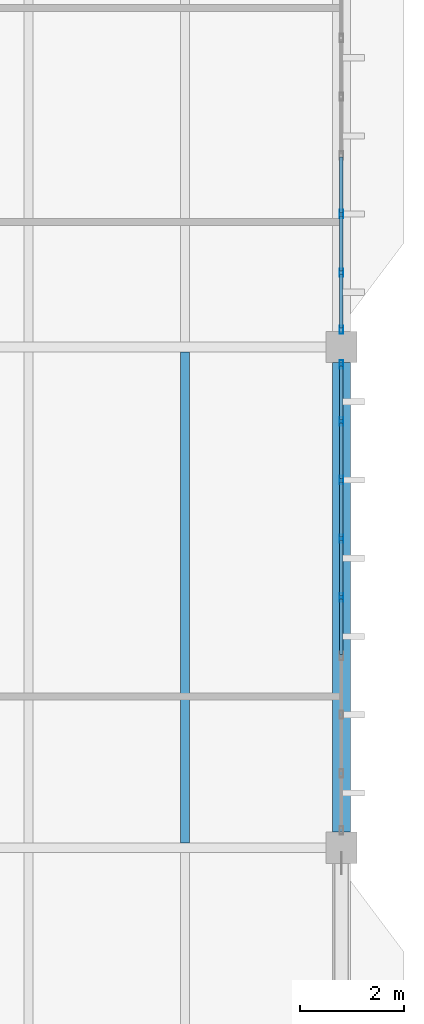
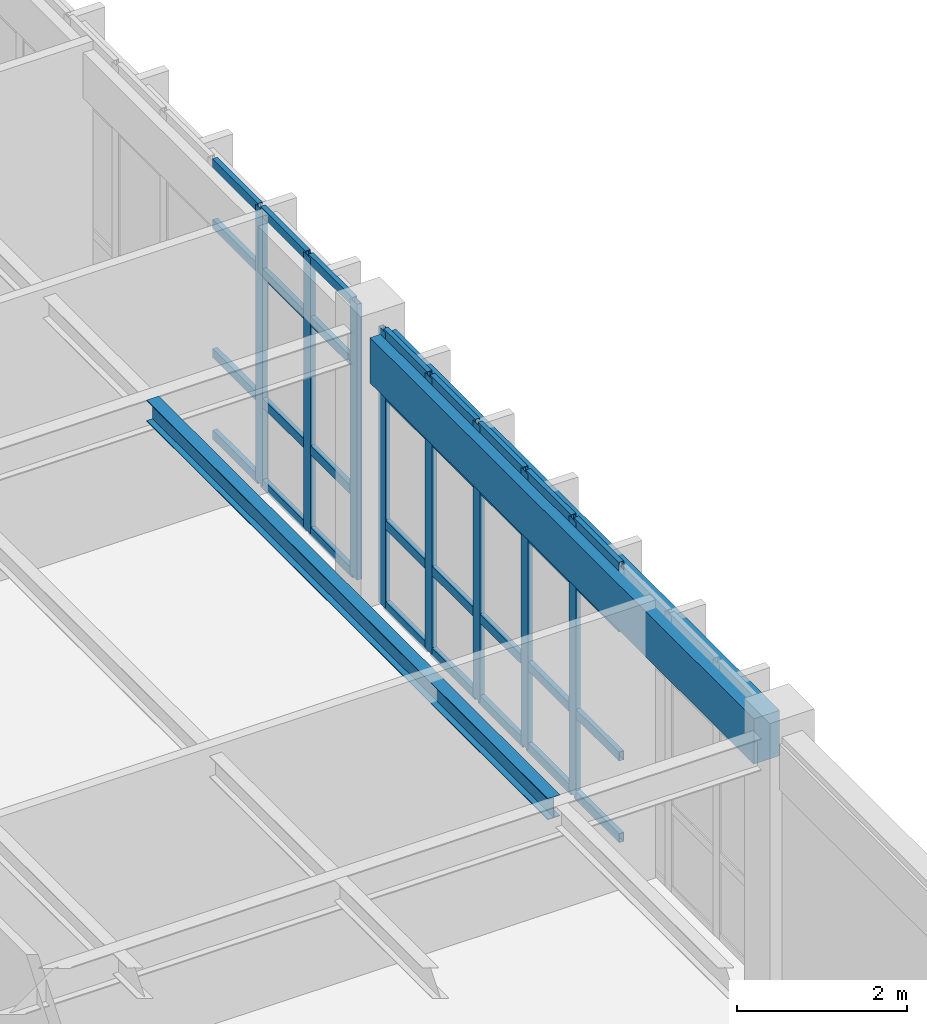
# One storey, part 12 of 28: 40 members, 2 beams, 2 elements without a shape of their own.
"""IFC4 building model written with IfcOpenShell, lengths in metres."""

from ifc_helpers import new_model, si_unit, direction, frame, origin, origin_2d, place, context, subcontext, project, spatial, rectangle, hollow_rectangle, i_section, extrude, material, layer, layer_set, material_profile, profile_set, type_object, element, aggregate, save


model = new_model("IFC4")

# Units and contexts
model_context = context("Model", 3, precision=1e-05, world=origin(), true_north=direction((0.0, 1.0)))
body_context = subcontext(model_context, "Body", "Model", "MODEL_VIEW")
ifc_project = project(units=[si_unit("LENGTHUNIT", "METRE"), si_unit("AREAUNIT", "SQUARE_METRE"), si_unit("VOLUMEUNIT", "CUBIC_METRE"), si_unit("PLANEANGLEUNIT", "RADIAN"), si_unit("MASSUNIT", "GRAM", prefix="KILO")], contexts=[model_context])

# Site, building, storey
site_placement = place(None, origin())
site = spatial("IfcSite", under=ifc_project, at=site_placement, CompositionType="ELEMENT")
building_placement = place(site_placement, origin())
building = spatial("IfcBuilding", under=site, at=building_placement, Name="Pandanus Reach Market Hall", CompositionType="ELEMENT")
storey_placement = place(building_placement, frame((0.0, 0.0, 18.60009765625)))
storey = spatial("IfcBuildingStorey", under=building, at=storey_placement, Name="L04", CompositionType="ELEMENT", Elevation=18.60009765625)

# Beam
ifc_material_1 = material(Name="Concrete N40 (40 MPa)", Category="concrete")
ifc_material_profile_1 = material_profile(ifc_material_1, rectangle(XDim=0.35009765625, YDim=0.64990234375, at=origin_2d()), Name="RC350x650", Category="LoadBearing")
ifc_profile_set_1 = profile_set([ifc_material_profile_1], Name="Concrete N40 (40 MPa)")
beam_type_1 = type_object("IfcBeamType", Name="BM-RC350-E", PredefinedType="SPANDREL", material=ifc_profile_set_1)
beam_1_placement = place(storey_placement, frame((180.0, 48.298095703125, 3.534912109375), z_axis=(0.0, 1.0, 0.0), x_axis=(-1.0, 0.0, 0.0)))
element("IfcBeam", 1, at=beam_1_placement, inside=storey, type_object=beam_type_1, Name="Framing beam BM-RC350-E L04.634", PredefinedType="SPANDREL", context=body_context, shape_type="SweptSolid", body=[
    extrude(rectangle(XDim=0.35009765625, YDim=0.64990234375, at=origin_2d()), origin(), (0.0, 0.0, 1.0), 9.00390625),
])

# Curtain wall, members
ifc_material_2 = material(Name="Bronze anodised aluminium and low-E glass", Category="aluminium")
ifc_layer = layer(ifc_material_2, 0.159912109375, Name="CW-36")
ifc_layer_set = layer_set([ifc_layer], Name="Bronze anodised aluminium and low-E glass")
curtain_wall_type = type_object("IfcCurtainWallType", Name="CW-36", PredefinedType="NOTDEFINED", material=ifc_layer_set)
curtain_wall_1_placement = place(storey_placement, origin())
curtain_wall_1 = element("IfcCurtainWall", 2, at=curtain_wall_1_placement, inside=storey, type_object=curtain_wall_type, Name="Glazed curtain wall CW-36 CW-0131", PredefinedType="NOTDEFINED")
ifc_material_3 = material(Name="Bronze anodised aluminium", Category="aluminium")
ifc_material_profile_2 = material_profile(ifc_material_3, hollow_rectangle(XDim=0.06494140625, YDim=0.159912109375, WallThickness=0.00390625, at=origin_2d()), Name="ALU65x160", Category="LoadBearing")
ifc_profile_set_2 = profile_set([ifc_material_profile_2], Name="Bronze anodised aluminium")
member_type_1 = type_object("IfcMemberType", Name="CW-M1", PredefinedType="MULLION", material=ifc_profile_set_2)
member_1_placement = place(storey_placement, frame((180.0, 52.800048828125, 0.0), z_axis=(0.0, 0.0, 1.0), x_axis=(-1.0, 0.0, 0.0)))
member_1 = element("IfcMember", 3, at=member_1_placement, type_object=member_type_1, Name="CW-36 mullion 5", PredefinedType="MULLION", context=body_context, shape_type="SweptSolid", body=[
    extrude(hollow_rectangle(XDim=0.06494140625, YDim=0.159912109375, WallThickness=0.00390625, at=origin_2d()), origin(), (0.0, 0.0, 1.0), 3.949951171875),
])
member_2_placement = place(storey_placement, frame((180.0, 53.925048828125, 0.0), z_axis=(0.0, 0.0, 1.0), x_axis=(-1.0, 0.0, 0.0)))
member_2 = element("IfcMember", 4, at=member_2_placement, type_object=member_type_1, Name="CW-36 mullion 6", PredefinedType="MULLION", context=body_context, shape_type="SweptSolid", body=[
    extrude(hollow_rectangle(XDim=0.06494140625, YDim=0.159912109375, WallThickness=0.00390625, at=origin_2d()), origin(), (0.0, 0.0, 1.0), 3.949951171875),
])
member_3_placement = place(storey_placement, frame((180.0, 55.050048828125, 0.0), z_axis=(0.0, 0.0, 1.0), x_axis=(-1.0, 0.0, 0.0)))
member_3 = element("IfcMember", 5, at=member_3_placement, type_object=member_type_1, Name="CW-36 mullion 7", PredefinedType="MULLION", context=body_context, shape_type="SweptSolid", body=[
    extrude(hollow_rectangle(XDim=0.06494140625, YDim=0.159912109375, WallThickness=0.00390625, at=origin_2d()), origin(), (0.0, 0.0, 1.0), 3.949951171875),
])
member_4_placement = place(storey_placement, frame((180.0, 56.175048828125, 0.0), z_axis=(0.0, 0.0, 1.0), x_axis=(-1.0, 0.0, 0.0)))
member_4 = element("IfcMember", 6, at=member_4_placement, type_object=member_type_1, Name="CW-36 mullion 8", PredefinedType="MULLION", context=body_context, shape_type="SweptSolid", body=[
    extrude(hollow_rectangle(XDim=0.06494140625, YDim=0.159912109375, WallThickness=0.00390625, at=origin_2d()), origin(), (0.0, 0.0, 1.0), 3.949951171875),
])
member_5_placement = place(storey_placement, frame((180.0, 57.267578125, 0.0), z_axis=(0.0, 0.0, 1.0), x_axis=(-1.0, 0.0, 0.0)))
member_5 = element("IfcMember", 7, at=member_5_placement, type_object=member_type_1, Name="CW-36 mullion 9", PredefinedType="MULLION", context=body_context, shape_type="SweptSolid", body=[
    extrude(hollow_rectangle(XDim=0.06494140625, YDim=0.159912109375, WallThickness=0.00390625, at=origin_2d()), origin(), (0.0, 0.0, 1.0), 3.949951171875),
])

curtain_wall_2_placement = place(storey_placement, origin())
curtain_wall_2 = element("IfcCurtainWall", 8, at=curtain_wall_2_placement, inside=storey, type_object=curtain_wall_type, Name="Glazed curtain wall CW-36 CW-0132", PredefinedType="NOTDEFINED")
member_6_placement = place(storey_placement, frame((180.0, 57.9326171875, 0.0), z_axis=(0.0, 0.0, 1.0), x_axis=(-1.0, 0.0, 0.0)))
member_6 = element("IfcMember", 9, at=member_6_placement, type_object=member_type_1, Name="CW-36 mullion 1", PredefinedType="MULLION", context=body_context, shape_type="SweptSolid", body=[
    extrude(hollow_rectangle(XDim=0.06494140625, YDim=0.159912109375, WallThickness=0.00390625, at=origin_2d()), origin(), (0.0, 0.0, 1.0), 3.949951171875),
])
member_7_placement = place(storey_placement, frame((180.0, 59.02490234375, 0.0), z_axis=(0.0, 0.0, 1.0), x_axis=(-1.0, 0.0, 0.0)))
member_7 = element("IfcMember", 10, at=member_7_placement, type_object=member_type_1, Name="CW-36 mullion 2", PredefinedType="MULLION", context=body_context, shape_type="SweptSolid", body=[
    extrude(hollow_rectangle(XDim=0.06494140625, YDim=0.159912109375, WallThickness=0.00390625, at=origin_2d()), origin(), (0.0, 0.0, 1.0), 3.949951171875),
])
member_8_placement = place(storey_placement, frame((180.0, 60.14990234375, 0.0), z_axis=(0.0, 0.0, 1.0), x_axis=(-1.0, 0.0, 0.0)))
member_8 = element("IfcMember", 11, at=member_8_placement, type_object=member_type_1, Name="CW-36 mullion 3", PredefinedType="MULLION", context=body_context, shape_type="SweptSolid", body=[
    extrude(hollow_rectangle(XDim=0.06494140625, YDim=0.159912109375, WallThickness=0.00390625, at=origin_2d()), origin(), (0.0, 0.0, 1.0), 3.949951171875),
])

# Member
ifc_material_profile_3 = material_profile(ifc_material_3, hollow_rectangle(XDim=0.06494140625, YDim=0.1298828125, WallThickness=0.00390625, at=origin_2d()), Name="ALU65x130", Category="LoadBearing")
ifc_profile_set_3 = profile_set([ifc_material_profile_3], Name="Bronze anodised aluminium")
member_type_2 = type_object("IfcMemberType", Name="CW-T1", PredefinedType="USERDEFINED", material=ifc_profile_set_3)
member_9_placement = place(storey_placement, frame((180.0, 51.70751953125, 0.032470703125), z_axis=(0.0, 1.0, 0.0), x_axis=(-1.0, 0.0, 0.0)))
member_9 = element("IfcMember", 12, at=member_9_placement, type_object=member_type_2, Name="CW-36 transom 4.1", ObjectType="TRANSOM", PredefinedType="USERDEFINED", context=body_context, shape_type="SweptSolid", body=[
    extrude(hollow_rectangle(XDim=0.06494140625, YDim=0.1298828125, WallThickness=0.00390625, at=origin_2d()), origin(), (0.0, 0.0, 1.0), 1.06005859375),
])

member_10_placement = place(storey_placement, frame((180.0, 51.70751953125, 1.199951171875), z_axis=(0.0, 1.0, 0.0), x_axis=(-1.0, 0.0, 0.0)))
member_10 = element("IfcMember", 13, at=member_10_placement, type_object=member_type_2, Name="CW-36 transom 4.2", ObjectType="TRANSOM", PredefinedType="USERDEFINED", context=body_context, shape_type="SweptSolid", body=[
    extrude(hollow_rectangle(XDim=0.06494140625, YDim=0.1298828125, WallThickness=0.00390625, at=origin_2d()), origin(), (0.0, 0.0, 1.0), 1.06005859375),
])

member_11_placement = place(storey_placement, frame((180.0, 51.70751953125, 3.0498046875), z_axis=(0.0, 1.0, 0.0), x_axis=(-1.0, 0.0, 0.0)))
member_11 = element("IfcMember", 14, at=member_11_placement, type_object=member_type_2, Name="CW-36 transom 4.3", ObjectType="TRANSOM", PredefinedType="USERDEFINED", context=body_context, shape_type="SweptSolid", body=[
    extrude(hollow_rectangle(XDim=0.06494140625, YDim=0.1298828125, WallThickness=0.00390625, at=origin_2d()), origin(), (0.0, 0.0, 1.0), 1.06005859375),
])

member_12_placement = place(storey_placement, frame((180.0, 51.70751953125, 3.91748046875), z_axis=(0.0, 1.0, 0.0), x_axis=(-1.0, 0.0, 0.0)))
member_12 = element("IfcMember", 15, at=member_12_placement, type_object=member_type_2, Name="CW-36 transom 4.4", ObjectType="TRANSOM", PredefinedType="USERDEFINED", context=body_context, shape_type="SweptSolid", body=[
    extrude(hollow_rectangle(XDim=0.06494140625, YDim=0.1298828125, WallThickness=0.00390625, at=origin_2d()), origin(), (0.0, 0.0, 1.0), 1.06005859375),
])

member_13_placement = place(storey_placement, frame((180.0, 52.83251953125, 0.032470703125), z_axis=(0.0, 1.0, 0.0), x_axis=(-1.0, 0.0, 0.0)))
member_13 = element("IfcMember", 16, at=member_13_placement, type_object=member_type_2, Name="CW-36 transom 5.1", ObjectType="TRANSOM", PredefinedType="USERDEFINED", context=body_context, shape_type="SweptSolid", body=[
    extrude(hollow_rectangle(XDim=0.06494140625, YDim=0.1298828125, WallThickness=0.00390625, at=origin_2d()), origin(), (0.0, 0.0, 1.0), 1.06005859375),
])

member_14_placement = place(storey_placement, frame((180.0, 52.83251953125, 1.199951171875), z_axis=(0.0, 1.0, 0.0), x_axis=(-1.0, 0.0, 0.0)))
member_14 = element("IfcMember", 17, at=member_14_placement, type_object=member_type_2, Name="CW-36 transom 5.2", ObjectType="TRANSOM", PredefinedType="USERDEFINED", context=body_context, shape_type="SweptSolid", body=[
    extrude(hollow_rectangle(XDim=0.06494140625, YDim=0.1298828125, WallThickness=0.00390625, at=origin_2d()), origin(), (0.0, 0.0, 1.0), 1.06005859375),
])

member_15_placement = place(storey_placement, frame((180.0, 52.83251953125, 3.0498046875), z_axis=(0.0, 1.0, 0.0), x_axis=(-1.0, 0.0, 0.0)))
member_15 = element("IfcMember", 18, at=member_15_placement, type_object=member_type_2, Name="CW-36 transom 5.3", ObjectType="TRANSOM", PredefinedType="USERDEFINED", context=body_context, shape_type="SweptSolid", body=[
    extrude(hollow_rectangle(XDim=0.06494140625, YDim=0.1298828125, WallThickness=0.00390625, at=origin_2d()), origin(), (0.0, 0.0, 1.0), 1.06005859375),
])

member_16_placement = place(storey_placement, frame((180.0, 52.83251953125, 3.91748046875), z_axis=(0.0, 1.0, 0.0), x_axis=(-1.0, 0.0, 0.0)))
member_16 = element("IfcMember", 19, at=member_16_placement, type_object=member_type_2, Name="CW-36 transom 5.4", ObjectType="TRANSOM", PredefinedType="USERDEFINED", context=body_context, shape_type="SweptSolid", body=[
    extrude(hollow_rectangle(XDim=0.06494140625, YDim=0.1298828125, WallThickness=0.00390625, at=origin_2d()), origin(), (0.0, 0.0, 1.0), 1.06005859375),
])

member_17_placement = place(storey_placement, frame((180.0, 53.95751953125, 0.032470703125), z_axis=(0.0, 1.0, 0.0), x_axis=(-1.0, 0.0, 0.0)))
member_17 = element("IfcMember", 20, at=member_17_placement, type_object=member_type_2, Name="CW-36 transom 6.1", ObjectType="TRANSOM", PredefinedType="USERDEFINED", context=body_context, shape_type="SweptSolid", body=[
    extrude(hollow_rectangle(XDim=0.06494140625, YDim=0.1298828125, WallThickness=0.00390625, at=origin_2d()), origin(), (0.0, 0.0, 1.0), 1.06005859375),
])

member_18_placement = place(storey_placement, frame((180.0, 53.95751953125, 1.199951171875), z_axis=(0.0, 1.0, 0.0), x_axis=(-1.0, 0.0, 0.0)))
member_18 = element("IfcMember", 21, at=member_18_placement, type_object=member_type_2, Name="CW-36 transom 6.2", ObjectType="TRANSOM", PredefinedType="USERDEFINED", context=body_context, shape_type="SweptSolid", body=[
    extrude(hollow_rectangle(XDim=0.06494140625, YDim=0.1298828125, WallThickness=0.00390625, at=origin_2d()), origin(), (0.0, 0.0, 1.0), 1.06005859375),
])

member_19_placement = place(storey_placement, frame((180.0, 53.95751953125, 3.0498046875), z_axis=(0.0, 1.0, 0.0), x_axis=(-1.0, 0.0, 0.0)))
member_19 = element("IfcMember", 22, at=member_19_placement, type_object=member_type_2, Name="CW-36 transom 6.3", ObjectType="TRANSOM", PredefinedType="USERDEFINED", context=body_context, shape_type="SweptSolid", body=[
    extrude(hollow_rectangle(XDim=0.06494140625, YDim=0.1298828125, WallThickness=0.00390625, at=origin_2d()), origin(), (0.0, 0.0, 1.0), 1.06005859375),
])

member_20_placement = place(storey_placement, frame((180.0, 53.95751953125, 3.91748046875), z_axis=(0.0, 1.0, 0.0), x_axis=(-1.0, 0.0, 0.0)))
member_20 = element("IfcMember", 23, at=member_20_placement, type_object=member_type_2, Name="CW-36 transom 6.4", ObjectType="TRANSOM", PredefinedType="USERDEFINED", context=body_context, shape_type="SweptSolid", body=[
    extrude(hollow_rectangle(XDim=0.06494140625, YDim=0.1298828125, WallThickness=0.00390625, at=origin_2d()), origin(), (0.0, 0.0, 1.0), 1.06005859375),
])

member_21_placement = place(storey_placement, frame((180.0, 55.08251953125, 0.032470703125), z_axis=(0.0, 1.0, 0.0), x_axis=(-1.0, 0.0, 0.0)))
member_21 = element("IfcMember", 24, at=member_21_placement, type_object=member_type_2, Name="CW-36 transom 7.1", ObjectType="TRANSOM", PredefinedType="USERDEFINED", context=body_context, shape_type="SweptSolid", body=[
    extrude(hollow_rectangle(XDim=0.06494140625, YDim=0.1298828125, WallThickness=0.00390625, at=origin_2d()), origin(), (0.0, 0.0, 1.0), 1.06005859375),
])

member_22_placement = place(storey_placement, frame((180.0, 55.08251953125, 1.199951171875), z_axis=(0.0, 1.0, 0.0), x_axis=(-1.0, 0.0, 0.0)))
member_22 = element("IfcMember", 25, at=member_22_placement, type_object=member_type_2, Name="CW-36 transom 7.2", ObjectType="TRANSOM", PredefinedType="USERDEFINED", context=body_context, shape_type="SweptSolid", body=[
    extrude(hollow_rectangle(XDim=0.06494140625, YDim=0.1298828125, WallThickness=0.00390625, at=origin_2d()), origin(), (0.0, 0.0, 1.0), 1.06005859375),
])

member_23_placement = place(storey_placement, frame((180.0, 55.08251953125, 3.0498046875), z_axis=(0.0, 1.0, 0.0), x_axis=(-1.0, 0.0, 0.0)))
member_23 = element("IfcMember", 26, at=member_23_placement, type_object=member_type_2, Name="CW-36 transom 7.3", ObjectType="TRANSOM", PredefinedType="USERDEFINED", context=body_context, shape_type="SweptSolid", body=[
    extrude(hollow_rectangle(XDim=0.06494140625, YDim=0.1298828125, WallThickness=0.00390625, at=origin_2d()), origin(), (0.0, 0.0, 1.0), 1.06005859375),
])

member_24_placement = place(storey_placement, frame((180.0, 55.08251953125, 3.91748046875), z_axis=(0.0, 1.0, 0.0), x_axis=(-1.0, 0.0, 0.0)))
member_24 = element("IfcMember", 27, at=member_24_placement, type_object=member_type_2, Name="CW-36 transom 7.4", ObjectType="TRANSOM", PredefinedType="USERDEFINED", context=body_context, shape_type="SweptSolid", body=[
    extrude(hollow_rectangle(XDim=0.06494140625, YDim=0.1298828125, WallThickness=0.00390625, at=origin_2d()), origin(), (0.0, 0.0, 1.0), 1.06005859375),
])

member_25_placement = place(storey_placement, frame((180.0, 56.20751953125, 0.032470703125), z_axis=(0.0, 1.0, 0.0), x_axis=(-1.0, 0.0, 0.0)))
member_25 = element("IfcMember", 28, at=member_25_placement, type_object=member_type_2, Name="CW-36 transom 8.1", ObjectType="TRANSOM", PredefinedType="USERDEFINED", context=body_context, shape_type="SweptSolid", body=[
    extrude(hollow_rectangle(XDim=0.06494140625, YDim=0.1298828125, WallThickness=0.00390625, at=origin_2d()), origin(), (0.0, 0.0, 1.0), 1.027587890625),
])

member_26_placement = place(storey_placement, frame((180.0, 56.20751953125, 1.199951171875), z_axis=(0.0, 1.0, 0.0), x_axis=(-1.0, 0.0, 0.0)))
member_26 = element("IfcMember", 29, at=member_26_placement, type_object=member_type_2, Name="CW-36 transom 8.2", ObjectType="TRANSOM", PredefinedType="USERDEFINED", context=body_context, shape_type="SweptSolid", body=[
    extrude(hollow_rectangle(XDim=0.06494140625, YDim=0.1298828125, WallThickness=0.00390625, at=origin_2d()), origin(), (0.0, 0.0, 1.0), 1.027587890625),
])

member_27_placement = place(storey_placement, frame((180.0, 56.20751953125, 3.0498046875), z_axis=(0.0, 1.0, 0.0), x_axis=(-1.0, 0.0, 0.0)))
member_27 = element("IfcMember", 30, at=member_27_placement, type_object=member_type_2, Name="CW-36 transom 8.3", ObjectType="TRANSOM", PredefinedType="USERDEFINED", context=body_context, shape_type="SweptSolid", body=[
    extrude(hollow_rectangle(XDim=0.06494140625, YDim=0.1298828125, WallThickness=0.00390625, at=origin_2d()), origin(), (0.0, 0.0, 1.0), 1.027587890625),
])

member_28_placement = place(storey_placement, frame((180.0, 56.20751953125, 3.91748046875), z_axis=(0.0, 1.0, 0.0), x_axis=(-1.0, 0.0, 0.0)))
member_28 = element("IfcMember", 31, at=member_28_placement, type_object=member_type_2, Name="CW-36 transom 8.4", ObjectType="TRANSOM", PredefinedType="USERDEFINED", context=body_context, shape_type="SweptSolid", body=[
    extrude(hollow_rectangle(XDim=0.06494140625, YDim=0.1298828125, WallThickness=0.00390625, at=origin_2d()), origin(), (0.0, 0.0, 1.0), 1.027587890625),
])

aggregate(curtain_wall_1, [member_1, member_2, member_3, member_4, member_5, member_9, member_10, member_11, member_12, member_13, member_14, member_15, member_16, member_17, member_18, member_19, member_20, member_21, member_22, member_23, member_24, member_25, member_26, member_27, member_28])

member_29_placement = place(storey_placement, frame((180.0, 57.965087890625, 0.032470703125), z_axis=(0.0, 1.0, 0.0), x_axis=(-1.0, 0.0, 0.0)))
member_29 = element("IfcMember", 32, at=member_29_placement, type_object=member_type_2, Name="CW-36 transom 1.1", ObjectType="TRANSOM", PredefinedType="USERDEFINED", context=body_context, shape_type="SweptSolid", body=[
    extrude(hollow_rectangle(XDim=0.06494140625, YDim=0.1298828125, WallThickness=0.00390625, at=origin_2d()), origin(), (0.0, 0.0, 1.0), 1.02734375),
])

member_30_placement = place(storey_placement, frame((180.0, 57.965087890625, 1.199951171875), z_axis=(0.0, 1.0, 0.0), x_axis=(-1.0, 0.0, 0.0)))
member_30 = element("IfcMember", 33, at=member_30_placement, type_object=member_type_2, Name="CW-36 transom 1.2", ObjectType="TRANSOM", PredefinedType="USERDEFINED", context=body_context, shape_type="SweptSolid", body=[
    extrude(hollow_rectangle(XDim=0.06494140625, YDim=0.1298828125, WallThickness=0.00390625, at=origin_2d()), origin(), (0.0, 0.0, 1.0), 1.02734375),
])

member_31_placement = place(storey_placement, frame((180.0, 57.965087890625, 3.0498046875), z_axis=(0.0, 1.0, 0.0), x_axis=(-1.0, 0.0, 0.0)))
member_31 = element("IfcMember", 34, at=member_31_placement, type_object=member_type_2, Name="CW-36 transom 1.3", ObjectType="TRANSOM", PredefinedType="USERDEFINED", context=body_context, shape_type="SweptSolid", body=[
    extrude(hollow_rectangle(XDim=0.06494140625, YDim=0.1298828125, WallThickness=0.00390625, at=origin_2d()), origin(), (0.0, 0.0, 1.0), 1.02734375),
])

member_32_placement = place(storey_placement, frame((180.0, 57.965087890625, 3.91748046875), z_axis=(0.0, 1.0, 0.0), x_axis=(-1.0, 0.0, 0.0)))
member_32 = element("IfcMember", 35, at=member_32_placement, type_object=member_type_2, Name="CW-36 transom 1.4", ObjectType="TRANSOM", PredefinedType="USERDEFINED", context=body_context, shape_type="SweptSolid", body=[
    extrude(hollow_rectangle(XDim=0.06494140625, YDim=0.1298828125, WallThickness=0.00390625, at=origin_2d()), origin(), (0.0, 0.0, 1.0), 1.02734375),
])

member_33_placement = place(storey_placement, frame((180.0, 59.0576171875, 0.032470703125), z_axis=(0.0, 1.0, 0.0), x_axis=(-1.0, 0.0, 0.0)))
member_33 = element("IfcMember", 36, at=member_33_placement, type_object=member_type_2, Name="CW-36 transom 2.1", ObjectType="TRANSOM", PredefinedType="USERDEFINED", context=body_context, shape_type="SweptSolid", body=[
    extrude(hollow_rectangle(XDim=0.06494140625, YDim=0.1298828125, WallThickness=0.00390625, at=origin_2d()), origin(), (0.0, 0.0, 1.0), 1.059814453125),
])

member_34_placement = place(storey_placement, frame((180.0, 59.0576171875, 1.199951171875), z_axis=(0.0, 1.0, 0.0), x_axis=(-1.0, 0.0, 0.0)))
member_34 = element("IfcMember", 37, at=member_34_placement, type_object=member_type_2, Name="CW-36 transom 2.2", ObjectType="TRANSOM", PredefinedType="USERDEFINED", context=body_context, shape_type="SweptSolid", body=[
    extrude(hollow_rectangle(XDim=0.06494140625, YDim=0.1298828125, WallThickness=0.00390625, at=origin_2d()), origin(), (0.0, 0.0, 1.0), 1.059814453125),
])

member_35_placement = place(storey_placement, frame((180.0, 59.0576171875, 3.0498046875), z_axis=(0.0, 1.0, 0.0), x_axis=(-1.0, 0.0, 0.0)))
member_35 = element("IfcMember", 38, at=member_35_placement, type_object=member_type_2, Name="CW-36 transom 2.3", ObjectType="TRANSOM", PredefinedType="USERDEFINED", context=body_context, shape_type="SweptSolid", body=[
    extrude(hollow_rectangle(XDim=0.06494140625, YDim=0.1298828125, WallThickness=0.00390625, at=origin_2d()), origin(), (0.0, 0.0, 1.0), 1.059814453125),
])

member_36_placement = place(storey_placement, frame((180.0, 59.0576171875, 3.91748046875), z_axis=(0.0, 1.0, 0.0), x_axis=(-1.0, 0.0, 0.0)))
member_36 = element("IfcMember", 39, at=member_36_placement, type_object=member_type_2, Name="CW-36 transom 2.4", ObjectType="TRANSOM", PredefinedType="USERDEFINED", context=body_context, shape_type="SweptSolid", body=[
    extrude(hollow_rectangle(XDim=0.06494140625, YDim=0.1298828125, WallThickness=0.00390625, at=origin_2d()), origin(), (0.0, 0.0, 1.0), 1.059814453125),
])

member_37_placement = place(storey_placement, frame((180.0, 60.1826171875, 0.032470703125), z_axis=(0.0, 1.0, 0.0), x_axis=(-1.0, 0.0, 0.0)))
member_37 = element("IfcMember", 40, at=member_37_placement, type_object=member_type_2, Name="CW-36 transom 3.1", ObjectType="TRANSOM", PredefinedType="USERDEFINED", context=body_context, shape_type="SweptSolid", body=[
    extrude(hollow_rectangle(XDim=0.06494140625, YDim=0.1298828125, WallThickness=0.00390625, at=origin_2d()), origin(), (0.0, 0.0, 1.0), 1.059814453125),
])

member_38_placement = place(storey_placement, frame((180.0, 60.1826171875, 1.199951171875), z_axis=(0.0, 1.0, 0.0), x_axis=(-1.0, 0.0, 0.0)))
member_38 = element("IfcMember", 41, at=member_38_placement, type_object=member_type_2, Name="CW-36 transom 3.2", ObjectType="TRANSOM", PredefinedType="USERDEFINED", context=body_context, shape_type="SweptSolid", body=[
    extrude(hollow_rectangle(XDim=0.06494140625, YDim=0.1298828125, WallThickness=0.00390625, at=origin_2d()), origin(), (0.0, 0.0, 1.0), 1.059814453125),
])

member_39_placement = place(storey_placement, frame((180.0, 60.1826171875, 3.0498046875), z_axis=(0.0, 1.0, 0.0), x_axis=(-1.0, 0.0, 0.0)))
member_39 = element("IfcMember", 42, at=member_39_placement, type_object=member_type_2, Name="CW-36 transom 3.3", ObjectType="TRANSOM", PredefinedType="USERDEFINED", context=body_context, shape_type="SweptSolid", body=[
    extrude(hollow_rectangle(XDim=0.06494140625, YDim=0.1298828125, WallThickness=0.00390625, at=origin_2d()), origin(), (0.0, 0.0, 1.0), 1.059814453125),
])

member_40_placement = place(storey_placement, frame((180.0, 60.1826171875, 3.91748046875), z_axis=(0.0, 1.0, 0.0), x_axis=(-1.0, 0.0, 0.0)))
member_40 = element("IfcMember", 43, at=member_40_placement, type_object=member_type_2, Name="CW-36 transom 3.4", ObjectType="TRANSOM", PredefinedType="USERDEFINED", context=body_context, shape_type="SweptSolid", body=[
    extrude(hollow_rectangle(XDim=0.06494140625, YDim=0.1298828125, WallThickness=0.00390625, at=origin_2d()), origin(), (0.0, 0.0, 1.0), 1.059814453125),
])

aggregate(curtain_wall_2, [member_6, member_7, member_8, member_29, member_30, member_31, member_32, member_33, member_34, member_35, member_36, member_37, member_38, member_39, member_40])

# Beam
ifc_material_4 = material(Name="Steel Grade 350 (350 MPa)", Category="steel")
ifc_material_profile_4 = material_profile(ifc_material_4, i_section(OverallWidth=0.1650390625, OverallDepth=0.303955078125, WebThickness=0.006103515625, FlangeThickness=0.01025390625, at=origin_2d()), Name="310UB40.4", Category="LoadBearing")
ifc_profile_set_4 = profile_set([ifc_material_profile_4], Name="Steel Grade 350 (350 MPa)")
beam_type_2 = type_object("IfcBeamType", Name="JS-UB310-I", PredefinedType="JOIST", material=ifc_profile_set_4)
beam_2_placement = place(storey_placement, frame((177.0, 48.093017578125, 3.70751953125), z_axis=(0.0, 1.0, 0.0), x_axis=(-1.0, 0.0, 0.0)))
element("IfcBeam", 44, at=beam_2_placement, inside=storey, type_object=beam_type_2, Name="Secondary joist JS-UB310-I L04.657", PredefinedType="JOIST", context=body_context, shape_type="SweptSolid", body=[
    extrude(i_section(OverallWidth=0.1650390625, OverallDepth=0.303955078125, WebThickness=0.006103515625, FlangeThickness=0.01025390625, at=origin_2d()), origin(), (0.0, 0.0, 1.0), 9.4140625),
])

save(model, "model.ifc")
